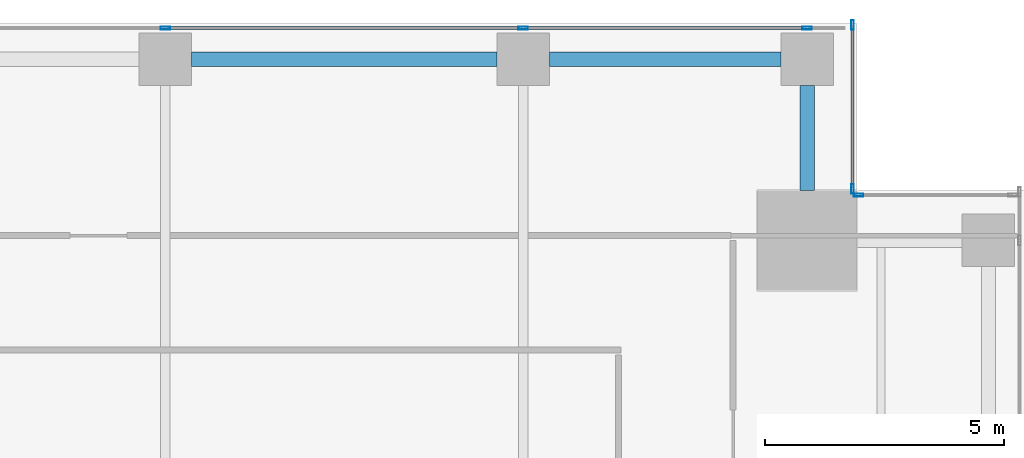
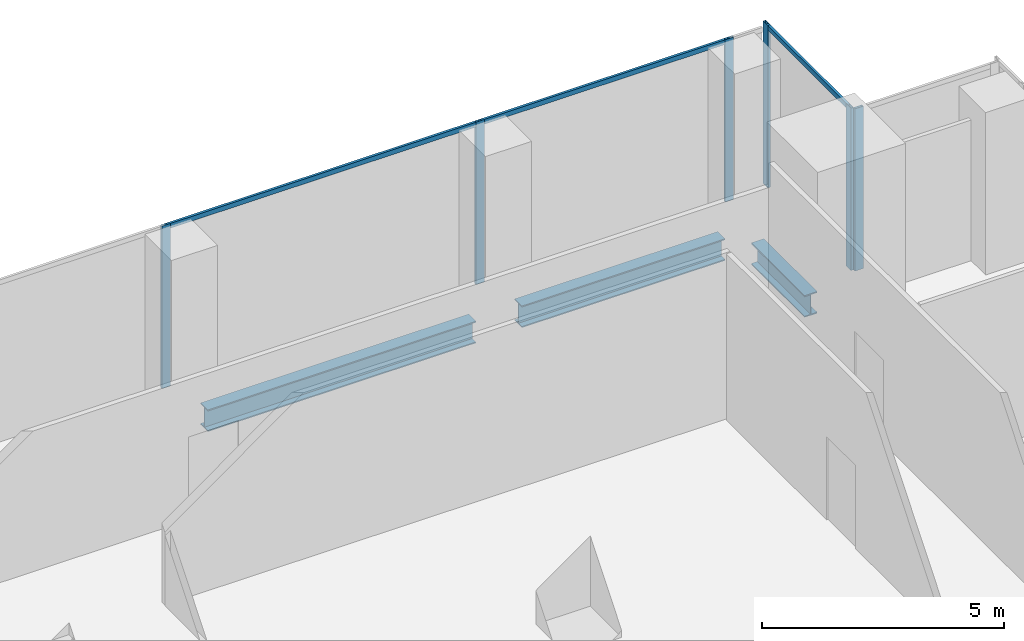
# One storey, part 20 of 34: 9 members, 3 beams, 3 elements without a shape of their own.
"""IFC4 building model written with IfcOpenShell, lengths in metres."""

from ifc_helpers import new_model, si_unit, direction, frame, origin, origin_2d, place, context, subcontext, project, spatial, hollow_rectangle, i_section, extrude, source, transform, mapped, material, material_profile, profile_set, type_object, element, aggregate, save


model = new_model("IFC4")

# Units and contexts
model_context = context("Model", 3, precision=1e-05, world=origin(), true_north=direction((0.0, 1.0)))
body_context = subcontext(model_context, "Body", "Model", "MODEL_VIEW")
ifc_project = project(units=[si_unit("LENGTHUNIT", "METRE"), si_unit("AREAUNIT", "SQUARE_METRE"), si_unit("VOLUMEUNIT", "CUBIC_METRE"), si_unit("PLANEANGLEUNIT", "RADIAN"), si_unit("MASSUNIT", "GRAM", prefix="KILO")], contexts=[model_context])

# Site, building, storey
site_placement = place(None, origin())
site = spatial("IfcSite", under=ifc_project, at=site_placement, CompositionType="ELEMENT")
building_placement = place(site_placement, origin())
building = spatial("IfcBuilding", under=site, at=building_placement, Name="Khomas Fold Tower", CompositionType="ELEMENT")
storey_placement = place(building_placement, frame((0.0, 0.0, 110.300048828125)))
storey = spatial("IfcBuildingStorey", under=building, at=storey_placement, Name="L23", CompositionType="ELEMENT", Elevation=110.300048828125)

# Beams
ifc_material_1 = material(Name="Steel S355", Category="steel")
ifc_material_profile_1 = material_profile(ifc_material_1, i_section(OverallWidth=0.300048828125, OverallDepth=0.550048828125, WebThickness=0.014892578125, FlangeThickness=0.029052734375, at=origin_2d()), Name="HE 550 B")
ifc_profile_set_1 = profile_set([ifc_material_profile_1], Name="Steel S355")
beam_type = type_object("IfcBeamType", Name="HE 550 B spandrel SB2", PredefinedType="SPANDREL", material=ifc_profile_set_1)
shared_shape_1 = source(origin(), body_context, "Body", "SweptSolid", [
    extrude(i_section(OverallWidth=0.300048828125, OverallDepth=0.550048828125, WebThickness=0.014892578125, FlangeThickness=0.029052734375, at=origin_2d()), origin(), (0.0, 0.0, 1.0), 4.849853515625),
])
beam_1_placement = place(storey_placement, frame((42.550048828125, 51.75, -0.574951171875), z_axis=(1.0, 0.0, 0.0), x_axis=(0.0, 1.0, 0.0)))
element("IfcBeam", 1, at=beam_1_placement, inside=storey, type_object=beam_type, Name="SB2", PredefinedType="SPANDREL", context=body_context, shape_type="MappedRepresentation", body=[
    mapped(shared_shape_1, transform((0.0, 0.0, 0.0))),
])
shared_shape_2 = source(origin(), body_context, "Body", "SweptSolid", [
    extrude(i_section(OverallWidth=0.300048828125, OverallDepth=0.550048828125, WebThickness=0.014892578125, FlangeThickness=0.029052734375, at=origin_2d()), origin(), (0.0, 0.0, 1.0), 6.39990234375),
])
beam_2_placement = place(storey_placement, frame((35.050048828125, 51.75, -0.574951171875), z_axis=(1.0, 0.0, 0.0), x_axis=(0.0, 1.0, 0.0)))
element("IfcBeam", 2, at=beam_2_placement, inside=storey, type_object=beam_type, Name="SB2", PredefinedType="SPANDREL", context=body_context, shape_type="MappedRepresentation", body=[
    mapped(shared_shape_2, transform((0.0, 0.0, 0.0))),
])
shared_shape_3 = source(origin(), body_context, "Body", "SweptSolid", [
    extrude(i_section(OverallWidth=0.300048828125, OverallDepth=0.550048828125, WebThickness=0.014892578125, FlangeThickness=0.029052734375, at=origin_2d()), origin(), (0.0, 0.0, 1.0), 2.199951171875),
])
beam_3_placement = place(storey_placement, frame((47.949951171875, 49.0, -0.574951171875), z_axis=(0.0, 1.0, 0.0), x_axis=(-1.0, 0.0, 0.0)))
element("IfcBeam", 3, at=beam_3_placement, inside=storey, type_object=beam_type, Name="SB2", PredefinedType="SPANDREL", context=body_context, shape_type="MappedRepresentation", body=[
    mapped(shared_shape_3, transform((0.0, 0.0, 0.0))),
])

# Curtain wall, members
ifc_material_2 = material(Name="Aluminium framed double glazing", Category="aluminium")
curtain_wall_type = type_object("IfcCurtainWallType", Name="SK-Unitised clear-glass wall, growing floors CW1", PredefinedType="NOTDEFINED", material=ifc_material_2)
curtain_wall_1_placement = place(storey_placement, origin())
curtain_wall_1 = element("IfcCurtainWall", 4, at=curtain_wall_1_placement, inside=storey, type_object=curtain_wall_type, Name="CW1 run L23 06-0", PredefinedType="NOTDEFINED")
ifc_material_3 = material(Name="Aluminium", Category="aluminium")
ifc_material_profile_2 = material_profile(ifc_material_3, hollow_rectangle(XDim=0.06005859375, YDim=0.1201171875, WallThickness=0.00390625, at=origin_2d()), Name="SK-Unitised clear-glass wall, growing floors transom CW1-T")
ifc_profile_set_2 = profile_set([ifc_material_profile_2], Name="Aluminium")
member_type_1 = type_object("IfcMemberType", Name="SK-Unitised clear-glass wall, growing floors transom CW1-T", PredefinedType="USERDEFINED", material=ifc_profile_set_2)
shared_shape_4 = source(origin(), body_context, "Body", "SweptSolid", [
    extrude(hollow_rectangle(XDim=0.06005859375, YDim=0.1201171875, WallThickness=0.00390625, at=origin_2d()), origin(), (0.0, 0.0, 1.0), 7.43994140625),
])
member_1_placement = place(storey_placement, frame((41.969970703125, 52.39990234375, 4.0400390625), z_axis=(-1.0, 0.0, 0.0), x_axis=(0.0, -1.0, 0.0)))
member_1 = element("IfcMember", 5, at=member_1_placement, type_object=member_type_1, Name="CW1 transom 3", ObjectType="TRANSOM", PredefinedType="USERDEFINED", context=body_context, shape_type="MappedRepresentation", body=[
    mapped(shared_shape_4, transform((0.0, 0.0, 0.0))),
])
shared_shape_5 = source(origin(), body_context, "Body", "SweptSolid", [
    extrude(hollow_rectangle(XDim=0.06005859375, YDim=0.1201171875, WallThickness=0.00390625, at=origin_2d()), origin(), (0.0, 0.0, 1.0), 5.889892578125),
])
member_2_placement = place(storey_placement, frame((47.919921875, 52.39990234375, 4.0400390625), z_axis=(-1.0, 0.0, 0.0), x_axis=(0.0, -1.0, 0.0)))
member_2 = element("IfcMember", 6, at=member_2_placement, type_object=member_type_1, Name="CW1 transom 2", ObjectType="TRANSOM", PredefinedType="USERDEFINED", context=body_context, shape_type="MappedRepresentation", body=[
    mapped(shared_shape_5, transform((0.0, 0.0, 0.0))),
])

# Curtain wall, member
curtain_wall_2_placement = place(storey_placement, origin())
curtain_wall_2 = element("IfcCurtainWall", 7, at=curtain_wall_2_placement, inside=storey, type_object=curtain_wall_type, Name="CW1 corner return L23 05", PredefinedType="NOTDEFINED")
shared_shape_6 = source(origin(), body_context, "Body", "SweptSolid", [
    extrude(hollow_rectangle(XDim=0.06005859375, YDim=0.1201171875, WallThickness=0.00390625, at=origin_2d()), origin(), (0.0, 0.0, 1.0), 3.3798828125),
])
member_3_placement = place(storey_placement, frame((48.89990234375, 49.06005859375, 4.0400390625), z_axis=(0.0, 1.0, 0.0), x_axis=(-1.0, 0.0, 0.0)))
member_3 = element("IfcMember", 8, at=member_3_placement, type_object=member_type_1, Name="CW1 transom 1", ObjectType="TRANSOM", PredefinedType="USERDEFINED", context=body_context, shape_type="MappedRepresentation", body=[
    mapped(shared_shape_6, transform((0.0, 0.0, 0.0))),
])

curtain_wall_3_placement = place(storey_placement, origin())
curtain_wall_3 = element("IfcCurtainWall", 9, at=curtain_wall_3_placement, inside=storey, type_object=curtain_wall_type, Name="CW1 corner return L23 04", PredefinedType="NOTDEFINED")
ifc_material_4 = material(Name="Aluminium", Category="aluminium")
ifc_material_profile_3 = material_profile(ifc_material_4, hollow_rectangle(XDim=0.06005859375, YDim=0.199951171875, WallThickness=0.00390625, at=origin_2d()), Name="SK-Unitised clear-glass wall, growing floors mullion CW1-M")
ifc_profile_set_3 = profile_set([ifc_material_profile_3], Name="Aluminium")
member_type_2 = type_object("IfcMemberType", Name="SK-Unitised clear-glass wall, growing floors mullion CW1-M", PredefinedType="MULLION", material=ifc_profile_set_3)
shared_shape_7 = source(origin(), body_context, "Body", "SweptSolid", [
    extrude(hollow_rectangle(XDim=0.06005859375, YDim=0.199951171875, WallThickness=0.00390625, at=origin_2d()), origin(), (0.0, 0.0, 1.0), 4.099853515625),
])
member_4_placement = place(storey_placement, frame((49.030029296875, 48.89990234375, 0.0), z_axis=(0.0, 0.0, 1.0), x_axis=(0.0, -1.0, 0.0)))
member_4 = element("IfcMember", 10, at=member_4_placement, type_object=member_type_2, Name="CW1 mullion 2", PredefinedType="MULLION", context=body_context, shape_type="MappedRepresentation", body=[
    mapped(shared_shape_7, transform((0.0, 0.0, 0.0))),
])
aggregate(curtain_wall_3, [member_4])

# Member
member_5_placement = place(storey_placement, frame((48.89990234375, 49.030029296875, 0.0), z_axis=(0.0, 0.0, 1.0), x_axis=(-1.0, 0.0, 0.0)))
member_5 = element("IfcMember", 11, at=member_5_placement, type_object=member_type_2, Name="CW1 mullion 1", PredefinedType="MULLION", context=body_context, shape_type="MappedRepresentation", body=[
    mapped(shared_shape_7, transform((0.0, 0.0, 0.0))),
])

member_6_placement = place(storey_placement, frame((48.89990234375, 52.469970703125, 0.0), z_axis=(0.0, 0.0, 1.0), x_axis=(-1.0, 0.0, 0.0)))
member_6 = element("IfcMember", 12, at=member_6_placement, type_object=member_type_2, Name="CW1 mullion 2", PredefinedType="MULLION", context=body_context, shape_type="MappedRepresentation", body=[
    mapped(shared_shape_7, transform((0.0, 0.0, 0.0))),
])

aggregate(curtain_wall_2, [member_5, member_6, member_3])

member_7_placement = place(storey_placement, frame((47.949951171875, 52.39990234375, 0.0), z_axis=(0.0, 0.0, 1.0), x_axis=(0.0, -1.0, 0.0)))
member_7 = element("IfcMember", 13, at=member_7_placement, type_object=member_type_2, Name="CW1 mullion 2", PredefinedType="MULLION", context=body_context, shape_type="MappedRepresentation", body=[
    mapped(shared_shape_7, transform((0.0, 0.0, 0.0))),
])

member_8_placement = place(storey_placement, frame((42.0, 52.39990234375, 0.0), z_axis=(0.0, 0.0, 1.0), x_axis=(0.0, -1.0, 0.0)))
member_8 = element("IfcMember", 14, at=member_8_placement, type_object=member_type_2, Name="CW1 mullion 3", PredefinedType="MULLION", context=body_context, shape_type="MappedRepresentation", body=[
    mapped(shared_shape_7, transform((0.0, 0.0, 0.0))),
])

member_9_placement = place(storey_placement, frame((34.5, 52.39990234375, 0.0), z_axis=(0.0, 0.0, 1.0), x_axis=(0.0, -1.0, 0.0)))
member_9 = element("IfcMember", 15, at=member_9_placement, type_object=member_type_2, Name="CW1 mullion 4", PredefinedType="MULLION", context=body_context, shape_type="MappedRepresentation", body=[
    mapped(shared_shape_7, transform((0.0, 0.0, 0.0))),
])

aggregate(curtain_wall_1, [member_7, member_8, member_9, member_2, member_1])

save(model, "model.ifc")
